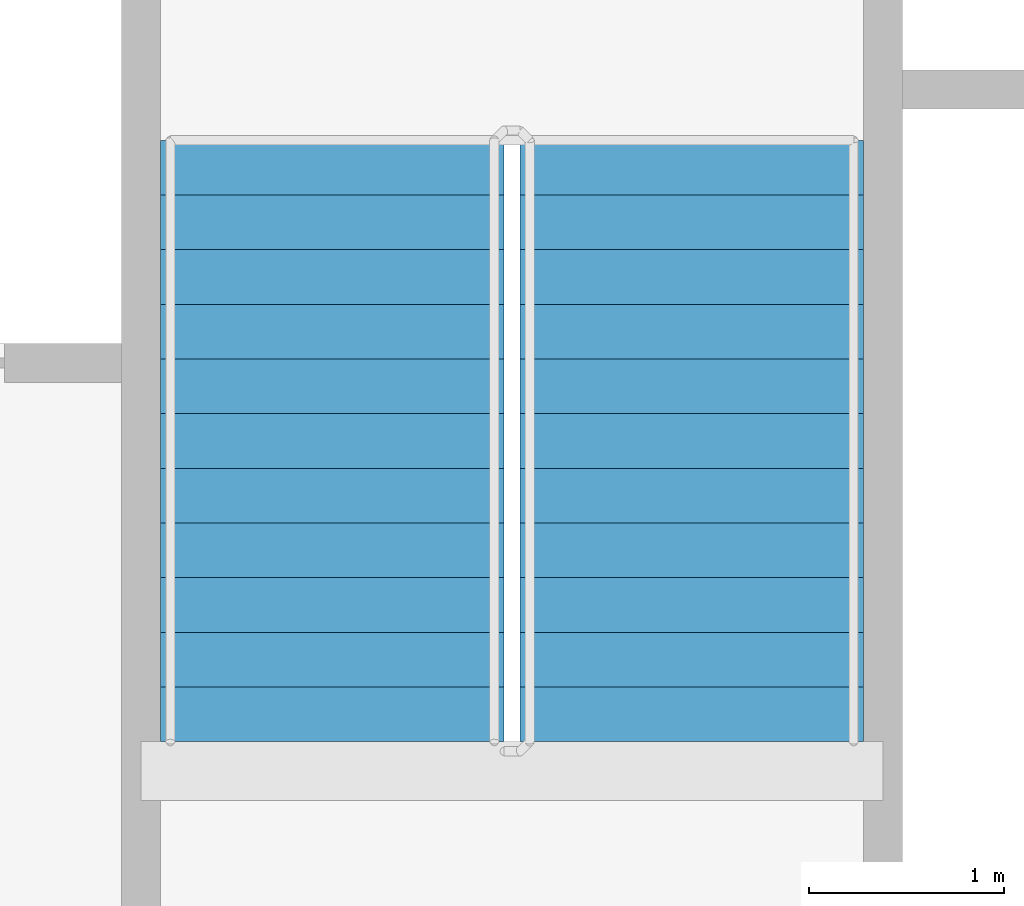
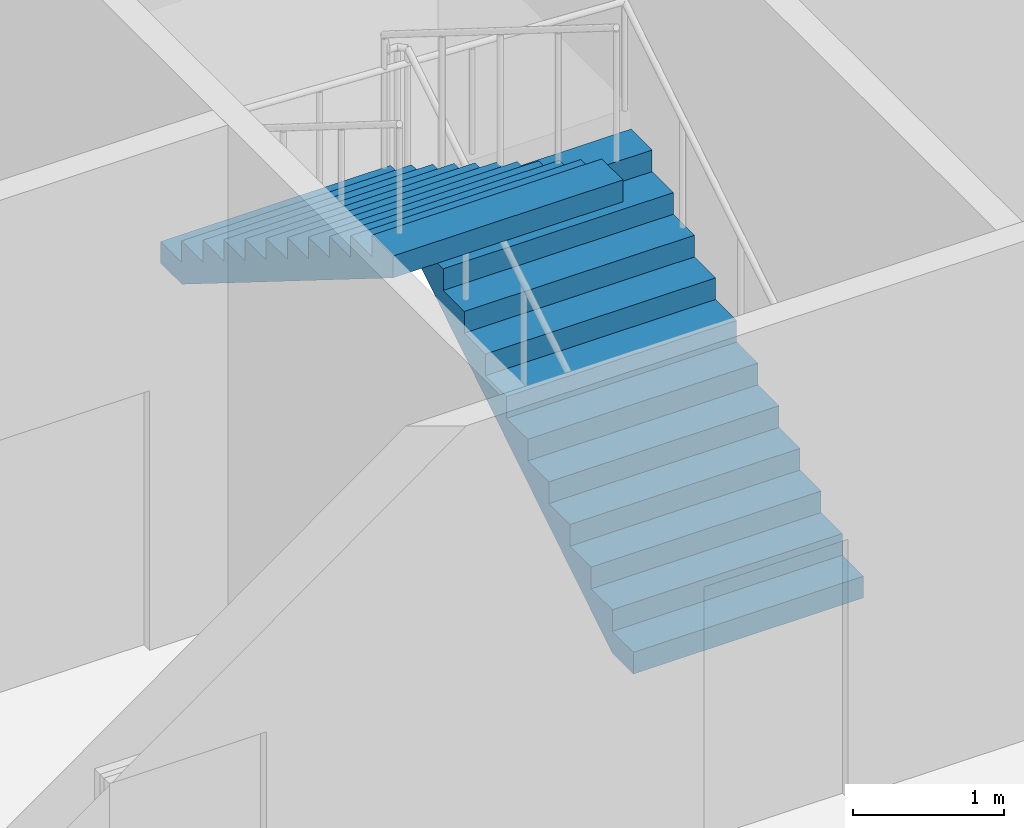
# One storey, part 23 of 28: 2 stair flights, 1 element without a shape of its own.
"""IFC4 building model written with IfcOpenShell, lengths in metres."""

import ifcopenshell
import ifcopenshell.guid

model = None  # the IFC model being written
_history = None  # IfcOwnerHistory: only IFC2X3 demands one
_inside = {}  # id of a spatial element -> (the spatial element, [elements in it])
_under = {}  # id of a project, library or spatial element -> (it, [spatial elements below it])
_declared = {}  # id of a project -> (the project, [libraries it declares])
_typed = {}  # id of a type object -> (the type object, [elements of that type])
_made_of = {}  # id of a material, layer set ... -> (it, [elements and type objects made of it])


def new_model(schema):
    """Start an empty IFC model of exactly this schema.

    Asked for "IFC4X3", IfcOpenShell would pick the latest addendum, in which some entities
    have other attributes; the version numbers below select the first issue.
    IFC2X3 requires an IfcOwnerHistory on every rooted entity: one is made here for all.
    """
    global model, _history
    if schema == "IFC4X3":
        model = ifcopenshell.file(schema_version=(4, 3, 0, 0))
    else:
        model = ifcopenshell.file(schema=schema)
    _inside.clear()
    _under.clear()
    _declared.clear()
    _typed.clear()
    _made_of.clear()
    _history = None
    if model.schema == "IFC2X3":
        org = make("IfcOrganization", Name="unknown")
        user = make(
            "IfcPersonAndOrganization",
            ThePerson=make("IfcPerson", FamilyName="unknown"),
            TheOrganization=org,
        )
        app = make(
            "IfcApplication",
            ApplicationDeveloper=org,
            Version="unknown",
            ApplicationFullName="unknown",
            ApplicationIdentifier="unknown",
        )
        _history = make(
            "IfcOwnerHistory",
            OwningUser=user,
            OwningApplication=app,
            ChangeAction="ADDED",
            CreationDate=0,
        )
    return model


def make(cls, **values):
    """One entity of the class cls with the attributes given. An attribute that is None is left unset."""
    return model.create_entity(
        cls, **{name: value for name, value in values.items() if value is not None}
    )


def rooted(cls, **values):
    """An entity with a GlobalId (a new one), such as an element, a storey or a relation."""
    return make(cls, GlobalId=ifcopenshell.guid.new(), OwnerHistory=_history, **values)


def si_unit(unit_type, name, prefix=None):
    """IfcSIUnit, for example si_unit("LENGTHUNIT", "METRE", prefix="MILLI")."""
    return make("IfcSIUnit", UnitType=unit_type, Prefix=prefix, Name=name)


def assignment(units):
    """IfcUnitAssignment: the units of a project."""
    return None if units is None else make("IfcUnitAssignment", Units=units)


def point(xyz):
    """IfcCartesianPoint."""
    return None if xyz is None else make("IfcCartesianPoint", Coordinates=xyz)


def direction(xyz):
    """IfcDirection."""
    return None if xyz is None else make("IfcDirection", DirectionRatios=xyz)


def frame(location, z_axis=None, x_axis=None):
    """IfcAxis2Placement3D, a coordinate frame: its origin and axes. An axis left out is left unset."""
    return make(
        "IfcAxis2Placement3D",
        Location=point(location),
        Axis=direction(z_axis),
        RefDirection=direction(x_axis),
    )


def origin():
    """The frame at (0, 0, 0) with its axes left unset."""
    return frame((0.0, 0.0, 0.0))


def place(relative_to, where):
    """IfcLocalPlacement: puts the frame where relative to a parent placement (None: the world)."""
    return make(
        "IfcLocalPlacement", PlacementRelTo=relative_to, RelativePlacement=where
    )


def context(
    kind, dimensions, precision=None, world=None, true_north=None, identifier=None
):
    """IfcGeometricRepresentationContext, for example the 3D "Model" context."""
    return make(
        "IfcGeometricRepresentationContext",
        ContextIdentifier=identifier,
        ContextType=kind,
        CoordinateSpaceDimension=dimensions,
        Precision=precision,
        WorldCoordinateSystem=world,
        TrueNorth=true_north,
    )


def subcontext(parent, identifier, kind, view, scale=None):
    """IfcGeometricRepresentationSubContext, for example "Body" below "Model"."""
    return make(
        "IfcGeometricRepresentationSubContext",
        ContextIdentifier=identifier,
        ContextType=kind,
        ParentContext=parent,
        TargetScale=scale,
        TargetView=view,
    )


def project(units=None, contexts=None):
    """IfcProject with its units and contexts."""
    return rooted(
        "IfcProject",
        Name="project",
        RepresentationContexts=contexts,
        UnitsInContext=assignment(units),
    )


def spatial(cls, under=None, at=None, **own):
    """A site, building, storey or space (cls), placed at a placement, below another one or the project."""
    s = rooted(cls, ObjectPlacement=at, **own)
    if under is not None:
        _under.setdefault(under.id(), (under, []))[1].append(s)
    return s


def faces_of(points, faces, orient=None, outer=None):
    """IfcFace entities. A face is a list of loops; a loop is a list of indices into points, from 0.

    orient and outer hold one flag for each loop. By default every Orientation is true, the
    first loop of a face is its IfcFaceOuterBound and the others are IfcFaceBound.
    """
    made = []
    for i, loops in enumerate(faces):
        bounds = []
        for j, loop in enumerate(loops):
            is_outer = j == 0 if outer is None else outer[i][j]
            bounds.append(
                make(
                    "IfcFaceOuterBound" if is_outer else "IfcFaceBound",
                    Bound=make("IfcPolyLoop", Polygon=[points[k] for k in loop]),
                    Orientation=True if orient is None else orient[i][j],
                )
            )
        made.append(make("IfcFace", Bounds=bounds))
    return made


def faceted_brep(points, faces, orient=None, outer=None, voids=None):
    """IfcFacetedBrep: a solid bounded by flat faces; with voids (closed shells), ...WithVoids."""
    shared = [point(p) for p in points]
    hull = make("IfcClosedShell", CfsFaces=faces_of(shared, faces, orient, outer))
    if voids is None:
        return make("IfcFacetedBrep", Outer=hull)
    return make(
        "IfcFacetedBrepWithVoids",
        Outer=hull,
        Voids=[
            make(cls, CfsFaces=faces_of(shared, fs, o, b)) for cls, fs, o, b in voids
        ],
    )


def shape(context_of_items, identifier, shape_type, items):
    """IfcShapeRepresentation: the items that make up one representation, for example the "Body"."""
    return make(
        "IfcShapeRepresentation",
        ContextOfItems=context_of_items,
        RepresentationIdentifier=identifier,
        RepresentationType=shape_type,
        Items=items,
    )


def material(Name=None, Category=None):
    """IfcMaterial."""
    return make("IfcMaterial", Name=Name, Category=Category)


def made_of(thing, what):
    """Note that an element or type object is made of a material, layer set ...; save() writes the relation."""
    if what is not None:
        _made_of.setdefault(what.id(), (what, []))[1].append(thing)
    return thing


def type_object(cls, material=None, **own):
    """A type object (cls), such as IfcWallType, which elements share."""
    return made_of(rooted(cls, **own), material)


def element(
    cls,
    number,
    at=None,
    inside=None,
    cuts=None,
    type_object=None,
    material=None,
    context=None,
    identifier="Body",
    shape_type=None,
    held_by="IfcProductDefinitionShape",
    body=None,
    shapes=None,
    **own,
):
    """One element of the class cls, such as IfcWall. Its Tag is "e" and its number.

    at: its placement. inside: the storey or other place that contains it. cuts: it is an
    opening in that element (IfcRelVoidsElement). A single representation is given by context,
    identifier, shape_type and body (its items); several are given by shapes. held_by: the class
    of the entity that holds the representations. save() writes the other relations.
    """
    e = rooted(cls, Tag="e%d" % number, ObjectPlacement=at, **own)
    if body is not None:
        shapes = [shape(context, identifier, shape_type, body)]
    if shapes is not None:
        e.Representation = make(held_by, Representations=shapes)
    if inside is not None:
        _inside.setdefault(inside.id(), (inside, []))[1].append(e)
    if cuts is not None:
        rooted(
            "IfcRelVoidsElement", RelatingBuildingElement=cuts, RelatedOpeningElement=e
        )
    if type_object is not None:
        _typed.setdefault(type_object.id(), (type_object, []))[1].append(e)
    return made_of(e, material)


def aggregate(whole, parts):
    """IfcRelAggregates: a whole, such as a stair, and the parts it consists of."""
    return rooted("IfcRelAggregates", RelatingObject=whole, RelatedObjects=parts)


def save(model, path):
    """Write the relations noted so far, then the file.

    IfcRelAggregates (storeys below a building ...), IfcRelContainedInSpatialStructure (elements
    in a storey), IfcRelDefinesByType, IfcRelAssociatesMaterial and IfcRelDeclares: one each for
    every whole, place, type object, material and project.
    """
    for whole, parts in _under.values():
        aggregate(whole, parts)
    for where, things in _inside.values():
        rooted(
            "IfcRelContainedInSpatialStructure",
            RelatedElements=things,
            RelatingStructure=where,
        )
    for kind, things in _typed.values():
        rooted("IfcRelDefinesByType", RelatedObjects=things, RelatingType=kind)
    for what, things in _made_of.values():
        rooted("IfcRelAssociatesMaterial", RelatedObjects=things, RelatingMaterial=what)
    for by, libraries in _declared.values():
        rooted("IfcRelDeclares", RelatingContext=by, RelatedDefinitions=libraries)
    model.write(path)


model = new_model("IFC4")

# Units and contexts
model_context = context("Model", 3, precision=1e-05, world=origin(), true_north=direction((0.0, 1.0)))
body_context = subcontext(model_context, "Body", "Model", "MODEL_VIEW")
ifc_project = project(units=[si_unit("LENGTHUNIT", "METRE"), si_unit("AREAUNIT", "SQUARE_METRE"), si_unit("VOLUMEUNIT", "CUBIC_METRE"), si_unit("PLANEANGLEUNIT", "RADIAN"), si_unit("MASSUNIT", "GRAM", prefix="KILO")], contexts=[model_context])

# Site, building, storey
site_placement = place(None, origin())
site = spatial("IfcSite", under=ifc_project, at=site_placement, CompositionType="ELEMENT")
building_placement = place(site_placement, origin())
building = spatial("IfcBuilding", under=site, at=building_placement, Name="Tarsis Ring Headquarters", CompositionType="ELEMENT")
storey_placement = place(building_placement, frame((0.0, 0.0, 365.0)))
storey = spatial("IfcBuildingStorey", under=building, at=storey_placement, Name="L86", CompositionType="ELEMENT", Elevation=365.0)

# Stair, stair flights
ifc_material_1 = material(Name="Core stair 1760")
stair_type = type_object("IfcStairType", Name="Core stair 1760", PredefinedType="HALF_TURN_STAIR", material=ifc_material_1)
stair_placement = place(storey_placement, origin())
stair = element("IfcStair", 1, at=stair_placement, inside=storey, type_object=stair_type, Name="L86 Exit stair B", PredefinedType="HALF_TURN_STAIR")
ifc_material_2 = material(Name="Concrete C40/50", Category="concrete")
stair_flight_type = type_object("IfcStairFlightType", Name="Core stair flight 1760", PredefinedType="STRAIGHT", material=ifc_material_2)
stair_flight_1_placement = place(storey_placement, frame((5.419921875, 3.659912109375, 0.0), z_axis=(0.0, 0.0, 1.0), x_axis=(0.0, 1.0, 0.0)))
stair_flight_1 = element("IfcStairFlight", 2, at=stair_flight_1_placement, type_object=stair_flight_type, Name="Stair ST2 flight 1", NumberOfRisers=12, NumberOfTreads=11, PredefinedType="STRAIGHT", RiserHeight=0.175, TreadLength=0.28, context=body_context, shape_type="Brep", body=[
    faceted_brep([(0.0, 0.8798828125, 0.0), (0.0, 0.8798828125, 0.175048828125), (0.280029296875, 0.8798828125, 0.175048828125), (0.280029296875, 0.8798828125, 0.35009765625), (0.56005859375, 0.8798828125, 0.35009765625), (0.56005859375, 0.8798828125, 0.52490234375), (0.840087890625, 0.8798828125, 0.52490234375), (0.840087890625, 0.8798828125, 0.699951171875), (1.1201171875, 0.8798828125, 0.699951171875), (1.1201171875, 0.8798828125, 0.875), (1.39990234375, 0.8798828125, 0.875), (1.39990234375, 0.8798828125, 1.050048828125), (1.679931640625, 0.8798828125, 1.050048828125), (1.679931640625, 0.8798828125, 1.22509765625), (1.9599609375, 0.8798828125, 1.22509765625), (1.9599609375, 0.8798828125, 1.39990234375), (2.239990234375, 0.8798828125, 1.39990234375), (2.239990234375, 0.8798828125, 1.574951171875), (2.52001953125, 0.8798828125, 1.574951171875), (2.52001953125, 0.8798828125, 1.75), (2.800048828125, 0.8798828125, 1.75), (2.800048828125, 0.8798828125, 1.925048828125), (3.080078125, 0.8798828125, 1.925048828125), (3.080078125, 0.8798828125, 1.748291015625), (0.28271484375, 0.8798828125, 0.0), (0.28271484375, -0.8798828125, 0.0), (3.080078125, -0.8798828125, 1.748291015625), (3.080078125, -0.8798828125, 1.925048828125), (2.800048828125, -0.8798828125, 1.925048828125), (2.800048828125, -0.8798828125, 1.75), (2.52001953125, -0.8798828125, 1.75), (2.52001953125, -0.8798828125, 1.574951171875), (2.239990234375, -0.8798828125, 1.574951171875), (2.239990234375, -0.8798828125, 1.39990234375), (1.9599609375, -0.8798828125, 1.39990234375), (1.9599609375, -0.8798828125, 1.22509765625), (1.679931640625, -0.8798828125, 1.22509765625), (1.679931640625, -0.8798828125, 1.050048828125), (1.39990234375, -0.8798828125, 1.050048828125), (1.39990234375, -0.8798828125, 0.875), (1.1201171875, -0.8798828125, 0.875), (1.1201171875, -0.8798828125, 0.699951171875), (0.840087890625, -0.8798828125, 0.699951171875), (0.840087890625, -0.8798828125, 0.52490234375), (0.56005859375, -0.8798828125, 0.52490234375), (0.56005859375, -0.8798828125, 0.35009765625), (0.280029296875, -0.8798828125, 0.35009765625), (0.280029296875, -0.8798828125, 0.175048828125), (0.0, -0.8798828125, 0.175048828125), (0.0, -0.8798828125, 0.0), (0.0, -0.43994140625, 0.175048828125), (0.0, -0.43994140625, 0.0), (0.0, 0.0, 0.175048828125), (0.0, 0.0, 0.0), (0.0, 0.43994140625, 0.175048828125), (0.0, 0.43994140625, 0.0), (0.280029296875, -0.43994140625, 0.175048828125), (0.280029296875, 0.0, 0.175048828125), (0.280029296875, 0.43994140625, 0.175048828125), (0.280029296875, -0.43994140625, 0.35009765625), (0.280029296875, 0.0, 0.35009765625), (0.280029296875, 0.43994140625, 0.35009765625), (0.56005859375, -0.43994140625, 0.35009765625), (0.56005859375, 0.0, 0.35009765625), (0.56005859375, 0.43994140625, 0.35009765625), (0.56005859375, -0.43994140625, 0.52490234375), (0.56005859375, 0.0, 0.52490234375), (0.56005859375, 0.43994140625, 0.52490234375), (0.840087890625, -0.43994140625, 0.52490234375), (0.840087890625, 0.0, 0.52490234375), (0.840087890625, 0.43994140625, 0.52490234375), (0.840087890625, -0.43994140625, 0.699951171875), (0.840087890625, 0.0, 0.699951171875), (0.840087890625, 0.43994140625, 0.699951171875), (1.1201171875, -0.43994140625, 0.699951171875), (1.1201171875, 0.0, 0.699951171875), (1.1201171875, 0.43994140625, 0.699951171875), (1.1201171875, -0.43994140625, 0.875), (1.1201171875, 0.0, 0.875), (1.1201171875, 0.43994140625, 0.875), (1.39990234375, -0.43994140625, 0.875), (1.39990234375, 0.0, 0.875), (1.39990234375, 0.43994140625, 0.875), (1.39990234375, -0.43994140625, 1.050048828125), (1.39990234375, 0.0, 1.050048828125), (1.39990234375, 0.43994140625, 1.050048828125), (1.679931640625, -0.43994140625, 1.050048828125), (1.679931640625, 0.0, 1.050048828125), (1.679931640625, 0.43994140625, 1.050048828125), (1.679931640625, -0.43994140625, 1.22509765625), (1.679931640625, 0.0, 1.22509765625), (1.679931640625, 0.43994140625, 1.22509765625), (1.9599609375, -0.43994140625, 1.22509765625), (1.9599609375, 0.0, 1.22509765625), (1.9599609375, 0.43994140625, 1.22509765625), (1.9599609375, -0.43994140625, 1.39990234375), (1.9599609375, 0.0, 1.39990234375), (1.9599609375, 0.43994140625, 1.39990234375), (2.239990234375, -0.43994140625, 1.39990234375), (2.239990234375, 0.0, 1.39990234375), (2.239990234375, 0.43994140625, 1.39990234375), (2.239990234375, -0.43994140625, 1.574951171875), (2.239990234375, 0.0, 1.574951171875), (2.239990234375, 0.43994140625, 1.574951171875), (2.52001953125, -0.43994140625, 1.574951171875), (2.52001953125, 0.0, 1.574951171875), (2.52001953125, 0.43994140625, 1.574951171875), (2.52001953125, -0.43994140625, 1.75), (2.52001953125, 0.0, 1.75), (2.52001953125, 0.43994140625, 1.75), (2.800048828125, -0.43994140625, 1.75), (2.800048828125, 0.0, 1.75), (2.800048828125, 0.43994140625, 1.75), (2.800048828125, -0.43994140625, 1.925048828125), (2.800048828125, 0.0, 1.925048828125), (2.800048828125, 0.43994140625, 1.925048828125), (3.080078125, -0.43994140625, 1.925048828125), (3.080078125, 0.0, 1.925048828125), (3.080078125, 0.43994140625, 1.925048828125), (3.080078125, -0.43994140625, 1.748291015625), (3.080078125, 0.0, 1.748291015625), (3.080078125, 0.43994140625, 1.748291015625), (0.28271484375, -0.43994140625, 0.0), (0.28271484375, 0.0, 0.0), (0.28271484375, 0.43994140625, 0.0)], [[[0, 1, 2, 3, 4, 5, 6, 7, 8, 9, 10, 11, 12, 13, 14, 15, 16, 17, 18, 19, 20, 21, 22, 23, 24]], [[25, 26, 27, 28, 29, 30, 31, 32, 33, 34, 35, 36, 37, 38, 39, 40, 41, 42, 43, 44, 45, 46, 47, 48, 49]], [[49, 48, 50, 51]], [[51, 50, 52, 53]], [[53, 52, 54, 55]], [[55, 54, 1, 0]], [[48, 47, 56, 50]], [[50, 56, 57, 52]], [[52, 57, 58, 54]], [[54, 58, 2, 1]], [[47, 46, 59, 56]], [[56, 59, 60, 57]], [[57, 60, 61, 58]], [[58, 61, 3, 2]], [[46, 45, 62, 59]], [[59, 62, 63, 60]], [[60, 63, 64, 61]], [[61, 64, 4, 3]], [[45, 44, 65, 62]], [[62, 65, 66, 63]], [[63, 66, 67, 64]], [[64, 67, 5, 4]], [[44, 43, 68, 65]], [[65, 68, 69, 66]], [[66, 69, 70, 67]], [[67, 70, 6, 5]], [[43, 42, 71, 68]], [[68, 71, 72, 69]], [[69, 72, 73, 70]], [[70, 73, 7, 6]], [[42, 41, 74, 71]], [[71, 74, 75, 72]], [[72, 75, 76, 73]], [[73, 76, 8, 7]], [[41, 40, 77, 74]], [[74, 77, 78, 75]], [[75, 78, 79, 76]], [[76, 79, 9, 8]], [[40, 39, 80, 77]], [[77, 80, 81, 78]], [[78, 81, 82, 79]], [[79, 82, 10, 9]], [[39, 38, 83, 80]], [[80, 83, 84, 81]], [[81, 84, 85, 82]], [[82, 85, 11, 10]], [[38, 37, 86, 83]], [[83, 86, 87, 84]], [[84, 87, 88, 85]], [[85, 88, 12, 11]], [[37, 36, 89, 86]], [[86, 89, 90, 87]], [[87, 90, 91, 88]], [[88, 91, 13, 12]], [[36, 35, 92, 89]], [[89, 92, 93, 90]], [[90, 93, 94, 91]], [[91, 94, 14, 13]], [[35, 34, 95, 92]], [[92, 95, 96, 93]], [[93, 96, 97, 94]], [[94, 97, 15, 14]], [[34, 33, 98, 95]], [[95, 98, 99, 96]], [[96, 99, 100, 97]], [[97, 100, 16, 15]], [[33, 32, 101, 98]], [[98, 101, 102, 99]], [[99, 102, 103, 100]], [[100, 103, 17, 16]], [[32, 31, 104, 101]], [[101, 104, 105, 102]], [[102, 105, 106, 103]], [[103, 106, 18, 17]], [[31, 30, 107, 104]], [[104, 107, 108, 105]], [[105, 108, 109, 106]], [[106, 109, 19, 18]], [[30, 29, 110, 107]], [[107, 110, 111, 108]], [[108, 111, 112, 109]], [[109, 112, 20, 19]], [[29, 28, 113, 110]], [[110, 113, 114, 111]], [[111, 114, 115, 112]], [[112, 115, 21, 20]], [[28, 27, 116, 113]], [[113, 116, 117, 114]], [[114, 117, 118, 115]], [[115, 118, 22, 21]], [[27, 26, 119, 116]], [[116, 119, 120, 117]], [[117, 120, 121, 118]], [[118, 121, 23, 22]], [[26, 25, 122, 119]], [[119, 122, 123, 120]], [[120, 123, 124, 121]], [[121, 124, 24, 23]], [[25, 49, 51, 122]], [[122, 51, 53, 123]], [[123, 53, 55, 124]], [[124, 55, 0, 24]]]),
])
stair_flight_2_placement = place(storey_placement, frame((3.580078125, 6.739990234375, 2.10009765625), z_axis=(0.0, 0.0, 1.0), x_axis=(0.0, -1.0, 0.0)))
stair_flight_2 = element("IfcStairFlight", 3, at=stair_flight_2_placement, type_object=stair_flight_type, Name="Stair ST2 flight 2", NumberOfRisers=12, NumberOfTreads=11, PredefinedType="STRAIGHT", RiserHeight=0.175, TreadLength=0.28, context=body_context, shape_type="Brep", body=[
    faceted_brep([(0.0, 0.8798828125, 0.0), (0.0, 0.8798828125, 0.175048828125), (0.280029296875, 0.8798828125, 0.175048828125), (0.280029296875, 0.8798828125, 0.35009765625), (0.56005859375, 0.8798828125, 0.35009765625), (0.56005859375, 0.8798828125, 0.52490234375), (0.840087890625, 0.8798828125, 0.52490234375), (0.840087890625, 0.8798828125, 0.699951171875), (1.1201171875, 0.8798828125, 0.699951171875), (1.1201171875, 0.8798828125, 0.875), (1.39990234375, 0.8798828125, 0.875), (1.39990234375, 0.8798828125, 1.050048828125), (1.679931640625, 0.8798828125, 1.050048828125), (1.679931640625, 0.8798828125, 1.22509765625), (1.9599609375, 0.8798828125, 1.22509765625), (1.9599609375, 0.8798828125, 1.39990234375), (2.239990234375, 0.8798828125, 1.39990234375), (2.239990234375, 0.8798828125, 1.574951171875), (2.52001953125, 0.8798828125, 1.574951171875), (2.52001953125, 0.8798828125, 1.75), (2.800048828125, 0.8798828125, 1.75), (2.800048828125, 0.8798828125, 1.925048828125), (3.080078125, 0.8798828125, 1.925048828125), (3.080078125, 0.8798828125, 1.748291015625), (0.28271484375, 0.8798828125, 0.0), (0.28271484375, -0.8798828125, 0.0), (3.080078125, -0.8798828125, 1.748291015625), (3.080078125, -0.8798828125, 1.925048828125), (2.800048828125, -0.8798828125, 1.925048828125), (2.800048828125, -0.8798828125, 1.75), (2.52001953125, -0.8798828125, 1.75), (2.52001953125, -0.8798828125, 1.574951171875), (2.239990234375, -0.8798828125, 1.574951171875), (2.239990234375, -0.8798828125, 1.39990234375), (1.9599609375, -0.8798828125, 1.39990234375), (1.9599609375, -0.8798828125, 1.22509765625), (1.679931640625, -0.8798828125, 1.22509765625), (1.679931640625, -0.8798828125, 1.050048828125), (1.39990234375, -0.8798828125, 1.050048828125), (1.39990234375, -0.8798828125, 0.875), (1.1201171875, -0.8798828125, 0.875), (1.1201171875, -0.8798828125, 0.699951171875), (0.840087890625, -0.8798828125, 0.699951171875), (0.840087890625, -0.8798828125, 0.52490234375), (0.56005859375, -0.8798828125, 0.52490234375), (0.56005859375, -0.8798828125, 0.35009765625), (0.280029296875, -0.8798828125, 0.35009765625), (0.280029296875, -0.8798828125, 0.175048828125), (0.0, -0.8798828125, 0.175048828125), (0.0, -0.8798828125, 0.0), (0.0, -0.43994140625, 0.175048828125), (0.0, -0.43994140625, 0.0), (0.0, 0.0, 0.175048828125), (0.0, 0.0, 0.0), (0.0, 0.43994140625, 0.175048828125), (0.0, 0.43994140625, 0.0), (0.280029296875, -0.43994140625, 0.175048828125), (0.280029296875, 0.0, 0.175048828125), (0.280029296875, 0.43994140625, 0.175048828125), (0.280029296875, -0.43994140625, 0.35009765625), (0.280029296875, 0.0, 0.35009765625), (0.280029296875, 0.43994140625, 0.35009765625), (0.56005859375, -0.43994140625, 0.35009765625), (0.56005859375, 0.0, 0.35009765625), (0.56005859375, 0.43994140625, 0.35009765625), (0.56005859375, -0.43994140625, 0.52490234375), (0.56005859375, 0.0, 0.52490234375), (0.56005859375, 0.43994140625, 0.52490234375), (0.840087890625, -0.43994140625, 0.52490234375), (0.840087890625, 0.0, 0.52490234375), (0.840087890625, 0.43994140625, 0.52490234375), (0.840087890625, -0.43994140625, 0.699951171875), (0.840087890625, 0.0, 0.699951171875), (0.840087890625, 0.43994140625, 0.699951171875), (1.1201171875, -0.43994140625, 0.699951171875), (1.1201171875, 0.0, 0.699951171875), (1.1201171875, 0.43994140625, 0.699951171875), (1.1201171875, -0.43994140625, 0.875), (1.1201171875, 0.0, 0.875), (1.1201171875, 0.43994140625, 0.875), (1.39990234375, -0.43994140625, 0.875), (1.39990234375, 0.0, 0.875), (1.39990234375, 0.43994140625, 0.875), (1.39990234375, -0.43994140625, 1.050048828125), (1.39990234375, 0.0, 1.050048828125), (1.39990234375, 0.43994140625, 1.050048828125), (1.679931640625, -0.43994140625, 1.050048828125), (1.679931640625, 0.0, 1.050048828125), (1.679931640625, 0.43994140625, 1.050048828125), (1.679931640625, -0.43994140625, 1.22509765625), (1.679931640625, 0.0, 1.22509765625), (1.679931640625, 0.43994140625, 1.22509765625), (1.9599609375, -0.43994140625, 1.22509765625), (1.9599609375, 0.0, 1.22509765625), (1.9599609375, 0.43994140625, 1.22509765625), (1.9599609375, -0.43994140625, 1.39990234375), (1.9599609375, 0.0, 1.39990234375), (1.9599609375, 0.43994140625, 1.39990234375), (2.239990234375, -0.43994140625, 1.39990234375), (2.239990234375, 0.0, 1.39990234375), (2.239990234375, 0.43994140625, 1.39990234375), (2.239990234375, -0.43994140625, 1.574951171875), (2.239990234375, 0.0, 1.574951171875), (2.239990234375, 0.43994140625, 1.574951171875), (2.52001953125, -0.43994140625, 1.574951171875), (2.52001953125, 0.0, 1.574951171875), (2.52001953125, 0.43994140625, 1.574951171875), (2.52001953125, -0.43994140625, 1.75), (2.52001953125, 0.0, 1.75), (2.52001953125, 0.43994140625, 1.75), (2.800048828125, -0.43994140625, 1.75), (2.800048828125, 0.0, 1.75), (2.800048828125, 0.43994140625, 1.75), (2.800048828125, -0.43994140625, 1.925048828125), (2.800048828125, 0.0, 1.925048828125), (2.800048828125, 0.43994140625, 1.925048828125), (3.080078125, -0.43994140625, 1.925048828125), (3.080078125, 0.0, 1.925048828125), (3.080078125, 0.43994140625, 1.925048828125), (3.080078125, -0.43994140625, 1.748291015625), (3.080078125, 0.0, 1.748291015625), (3.080078125, 0.43994140625, 1.748291015625), (0.28271484375, -0.43994140625, 0.0), (0.28271484375, 0.0, 0.0), (0.28271484375, 0.43994140625, 0.0)], [[[0, 1, 2, 3, 4, 5, 6, 7, 8, 9, 10, 11, 12, 13, 14, 15, 16, 17, 18, 19, 20, 21, 22, 23, 24]], [[25, 26, 27, 28, 29, 30, 31, 32, 33, 34, 35, 36, 37, 38, 39, 40, 41, 42, 43, 44, 45, 46, 47, 48, 49]], [[49, 48, 50, 51]], [[51, 50, 52, 53]], [[53, 52, 54, 55]], [[55, 54, 1, 0]], [[48, 47, 56, 50]], [[50, 56, 57, 52]], [[52, 57, 58, 54]], [[54, 58, 2, 1]], [[47, 46, 59, 56]], [[56, 59, 60, 57]], [[57, 60, 61, 58]], [[58, 61, 3, 2]], [[46, 45, 62, 59]], [[59, 62, 63, 60]], [[60, 63, 64, 61]], [[61, 64, 4, 3]], [[45, 44, 65, 62]], [[62, 65, 66, 63]], [[63, 66, 67, 64]], [[64, 67, 5, 4]], [[44, 43, 68, 65]], [[65, 68, 69, 66]], [[66, 69, 70, 67]], [[67, 70, 6, 5]], [[43, 42, 71, 68]], [[68, 71, 72, 69]], [[69, 72, 73, 70]], [[70, 73, 7, 6]], [[42, 41, 74, 71]], [[71, 74, 75, 72]], [[72, 75, 76, 73]], [[73, 76, 8, 7]], [[41, 40, 77, 74]], [[74, 77, 78, 75]], [[75, 78, 79, 76]], [[76, 79, 9, 8]], [[40, 39, 80, 77]], [[77, 80, 81, 78]], [[78, 81, 82, 79]], [[79, 82, 10, 9]], [[39, 38, 83, 80]], [[80, 83, 84, 81]], [[81, 84, 85, 82]], [[82, 85, 11, 10]], [[38, 37, 86, 83]], [[83, 86, 87, 84]], [[84, 87, 88, 85]], [[85, 88, 12, 11]], [[37, 36, 89, 86]], [[86, 89, 90, 87]], [[87, 90, 91, 88]], [[88, 91, 13, 12]], [[36, 35, 92, 89]], [[89, 92, 93, 90]], [[90, 93, 94, 91]], [[91, 94, 14, 13]], [[35, 34, 95, 92]], [[92, 95, 96, 93]], [[93, 96, 97, 94]], [[94, 97, 15, 14]], [[34, 33, 98, 95]], [[95, 98, 99, 96]], [[96, 99, 100, 97]], [[97, 100, 16, 15]], [[33, 32, 101, 98]], [[98, 101, 102, 99]], [[99, 102, 103, 100]], [[100, 103, 17, 16]], [[32, 31, 104, 101]], [[101, 104, 105, 102]], [[102, 105, 106, 103]], [[103, 106, 18, 17]], [[31, 30, 107, 104]], [[104, 107, 108, 105]], [[105, 108, 109, 106]], [[106, 109, 19, 18]], [[30, 29, 110, 107]], [[107, 110, 111, 108]], [[108, 111, 112, 109]], [[109, 112, 20, 19]], [[29, 28, 113, 110]], [[110, 113, 114, 111]], [[111, 114, 115, 112]], [[112, 115, 21, 20]], [[28, 27, 116, 113]], [[113, 116, 117, 114]], [[114, 117, 118, 115]], [[115, 118, 22, 21]], [[27, 26, 119, 116]], [[116, 119, 120, 117]], [[117, 120, 121, 118]], [[118, 121, 23, 22]], [[26, 25, 122, 119]], [[119, 122, 123, 120]], [[120, 123, 124, 121]], [[121, 124, 24, 23]], [[25, 49, 51, 122]], [[122, 51, 53, 123]], [[123, 53, 55, 124]], [[124, 55, 0, 24]]]),
])
aggregate(stair, [stair_flight_1, stair_flight_2])

save(model, "model.ifc")
